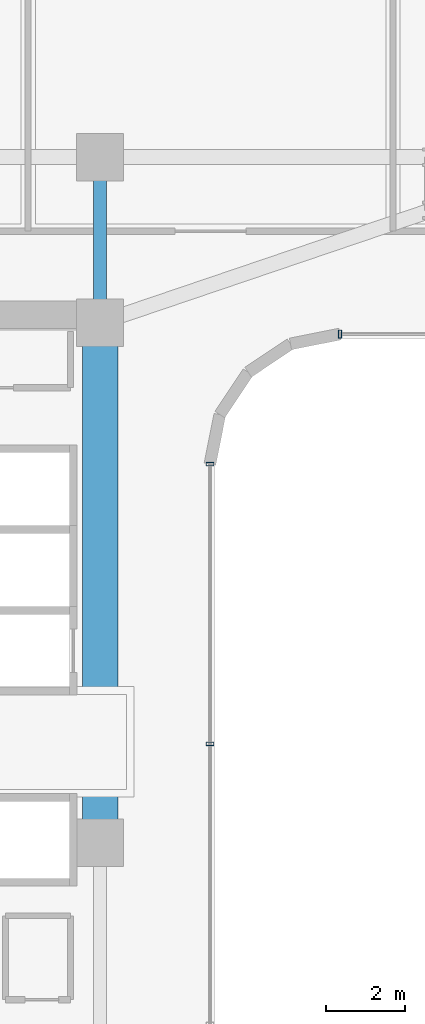
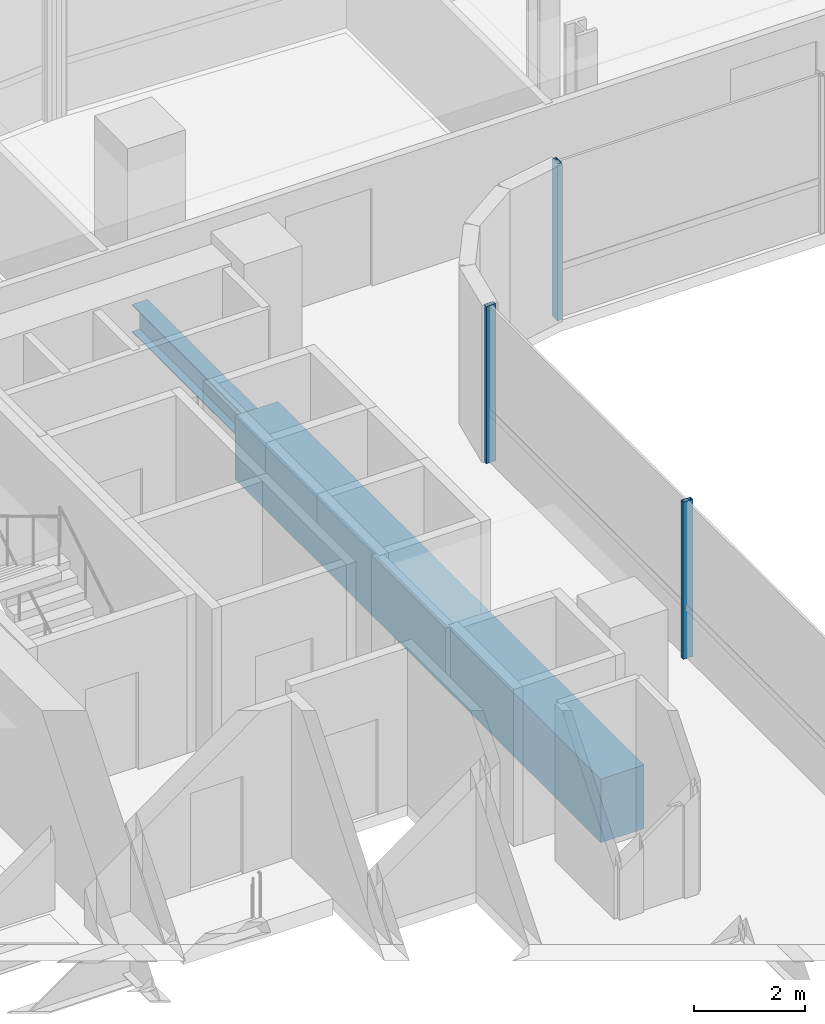
# One storey, part 11 of 37: 3 members, 2 beams, 2 elements without a shape of their own.
"""IFC4 building model written with IfcOpenShell, lengths in metres."""

from ifc_helpers import new_model, si_unit, direction, frame, origin, origin_2d, place, context, subcontext, project, spatial, rectangle, hollow_rectangle, i_section, extrude, source, transform, mapped, material, material_profile, profile_set, type_object, element, aggregate, save


model = new_model("IFC4")

# Units and contexts
model_context = context("Model", 3, precision=1e-05, world=origin(), true_north=direction((0.0, 1.0)))
body_context = subcontext(model_context, "Body", "Model", "MODEL_VIEW")
ifc_project = project(units=[si_unit("LENGTHUNIT", "METRE"), si_unit("AREAUNIT", "SQUARE_METRE"), si_unit("VOLUMEUNIT", "CUBIC_METRE"), si_unit("PLANEANGLEUNIT", "RADIAN"), si_unit("MASSUNIT", "GRAM", prefix="KILO")], contexts=[model_context])

# Site, building, storey
site_placement = place(None, origin())
site = spatial("IfcSite", under=ifc_project, at=site_placement, CompositionType="ELEMENT")
building_placement = place(site_placement, origin())
building = spatial("IfcBuilding", under=site, at=building_placement, Name="Valdorenza Pilgrim Sanctuary Tower", CompositionType="ELEMENT")
storey_placement = place(building_placement, frame((0.0, 0.0, 135.300048828125)))
storey = spatial("IfcBuildingStorey", under=building, at=storey_placement, Name="L34", CompositionType="ELEMENT", Elevation=135.300048828125)

# Beams
ifc_material_1 = material(Name="Concrete C60/75", Category="concrete")
ifc_material_profile_1 = material_profile(ifc_material_1, rectangle(XDim=0.89990234375, YDim=1.39990234375, at=origin_2d()), Name="RC 1400x900")
ifc_profile_set_1 = profile_set([ifc_material_profile_1], Name="Concrete C60/75")
beam_type_1 = type_object("IfcBeamType", Name="STR-BM-LNT-1400", PredefinedType="LINTEL", material=ifc_profile_set_1)
shared_shape_1 = source(origin(), body_context, "Body", "SweptSolid", [
    extrude(rectangle(XDim=0.89990234375, YDim=1.39990234375, at=origin_2d()), origin(), (0.0, 0.0, 1.0), 13.2001953125),
])
beam_1_placement = place(storey_placement, frame((-12.39990234375, -2.60009765625, -0.739990234375), z_axis=(0.0, 1.0, 0.0), x_axis=(-1.0, 0.0, 0.0)))
element("IfcBeam", 1, at=beam_1_placement, inside=storey, type_object=beam_type_1, Name="L34 Core A Coupling Lintel Girder", PredefinedType="LINTEL", context=body_context, shape_type="MappedRepresentation", body=[
    mapped(shared_shape_1, transform((0.0, 0.0, 0.0), x_axis=(1.0, 0.0, 0.0), y_axis=(0.0, 1.0, 0.0), z_axis=(0.0, 0.0, 1.0), scale=1.0)),
])
ifc_material_2 = material(Name="Steel ASTM A992 Grade 50", Category="steel")
ifc_material_profile_2 = material_profile(ifc_material_2, i_section(OverallWidth=0.323974609375, OverallDepth=0.611083984375, WebThickness=0.0126953125, FlangeThickness=0.01904296875, at=origin_2d()), Name="W24X104")
ifc_profile_set_2 = profile_set([ifc_material_profile_2], Name="Steel ASTM A992 Grade 50")
beam_type_2 = type_object("IfcBeamType", Name="STR-BM-GRD-W24B", PredefinedType="BEAM", material=ifc_profile_set_2)
shared_shape_2 = source(origin(), body_context, "Body", "SweptSolid", [
    extrude(i_section(OverallWidth=0.323974609375, OverallDepth=0.611083984375, WebThickness=0.0126953125, FlangeThickness=0.01904296875, at=origin_2d()), origin(), (0.0, 0.0, 1.0), 4.199951171875),
])
beam_2_placement = place(storey_placement, frame((-12.39990234375, 10.60009765625, -0.545654296875), z_axis=(0.0, 1.0, 0.0), x_axis=(-1.0, 0.0, 0.0)))
element("IfcBeam", 2, at=beam_2_placement, inside=storey, type_object=beam_type_2, Name="L34 Core Tie Girder CA-E-N1N2", PredefinedType="BEAM", context=body_context, shape_type="MappedRepresentation", body=[
    mapped(shared_shape_2, transform((0.0, 0.0, 0.0), x_axis=(1.0, 0.0, 0.0), y_axis=(0.0, 1.0, 0.0), z_axis=(0.0, 0.0, 1.0), scale=1.0)),
])

# Curtain wall, member
ifc_material_3 = material(Name="Curtain-wall IGU glazing", Category="glass")
curtain_wall_type = type_object("IfcCurtainWallType", Name="CW-SYS-02", PredefinedType="NOTDEFINED", material=ifc_material_3)
curtain_wall_1_placement = place(storey_placement, origin())
curtain_wall_1 = element("IfcCurtainWall", 3, at=curtain_wall_1_placement, inside=storey, type_object=curtain_wall_type, Name="L34 Curtain Wall CW-L34-1-36", PredefinedType="NOTDEFINED")
ifc_material_4 = material(Name="Anodised aluminium AW-6060", Category="aluminium")
ifc_material_profile_3 = material_profile(ifc_material_4, hollow_rectangle(XDim=0.0849609375, YDim=0.199951171875, WallThickness=0.0048828125, at=origin_2d()), Name="ALU-M 200x85x5")
ifc_profile_set_3 = profile_set([ifc_material_profile_3], Name="Anodised aluminium AW-6060")
member_type = type_object("IfcMemberType", Name="CW-MUL-02", PredefinedType="MULLION", material=ifc_profile_set_3)
shared_shape_3 = source(origin(), body_context, "Body", "SweptSolid", [
    extrude(hollow_rectangle(XDim=0.0849609375, YDim=0.199951171875, WallThickness=0.0048828125, at=origin_2d()), origin(), (0.0, 0.0, 1.0), 3.4599609375),
])
member_1_placement = place(storey_placement, frame((-6.310791015625, 10.31005859375, 0.0), z_axis=(0.0, 0.0, 1.0), x_axis=(-1.0, 0.0, 0.0)))
member_1 = element("IfcMember", 4, at=member_1_placement, type_object=member_type, Name="CW-L34-1-36 Mullion 4", PredefinedType="MULLION", context=body_context, shape_type="MappedRepresentation", body=[
    mapped(shared_shape_3, transform((0.0, 0.0, 0.0), x_axis=(1.0, 0.0, 0.0), y_axis=(0.0, 1.0, 0.0), z_axis=(0.0, 0.0, 1.0), scale=1.0)),
])
aggregate(curtain_wall_1, [member_1])

# Curtain wall, members
curtain_wall_2_placement = place(storey_placement, origin())
curtain_wall_2 = element("IfcCurtainWall", 5, at=curtain_wall_2_placement, inside=storey, type_object=curtain_wall_type, Name="L34 Curtain Wall CW-L34-1-41", PredefinedType="NOTDEFINED")
member_2_placement = place(storey_placement, frame((-9.610107421875, 7.0107421875, 0.0), z_axis=(0.0, 0.0, 1.0), x_axis=(0.0, -1.0, 0.0)))
member_2 = element("IfcMember", 6, at=member_2_placement, type_object=member_type, Name="CW-L34-1-41 Mullion 1", PredefinedType="MULLION", context=body_context, shape_type="MappedRepresentation", body=[
    mapped(shared_shape_3, transform((0.0, 0.0, 0.0), x_axis=(1.0, 0.0, 0.0), y_axis=(0.0, 1.0, 0.0), z_axis=(0.0, 0.0, 1.0), scale=1.0)),
])
member_3_placement = place(storey_placement, frame((-9.610107421875, -0.089111328125, 0.0), z_axis=(0.0, 0.0, 1.0), x_axis=(0.0, -1.0, 0.0)))
member_3 = element("IfcMember", 7, at=member_3_placement, type_object=member_type, Name="CW-L34-1-41 Mullion 2", PredefinedType="MULLION", context=body_context, shape_type="MappedRepresentation", body=[
    mapped(shared_shape_3, transform((0.0, 0.0, 0.0), x_axis=(1.0, 0.0, 0.0), y_axis=(0.0, 1.0, 0.0), z_axis=(0.0, 0.0, 1.0), scale=1.0)),
])
aggregate(curtain_wall_2, [member_2, member_3])

save(model, "model.ifc")
